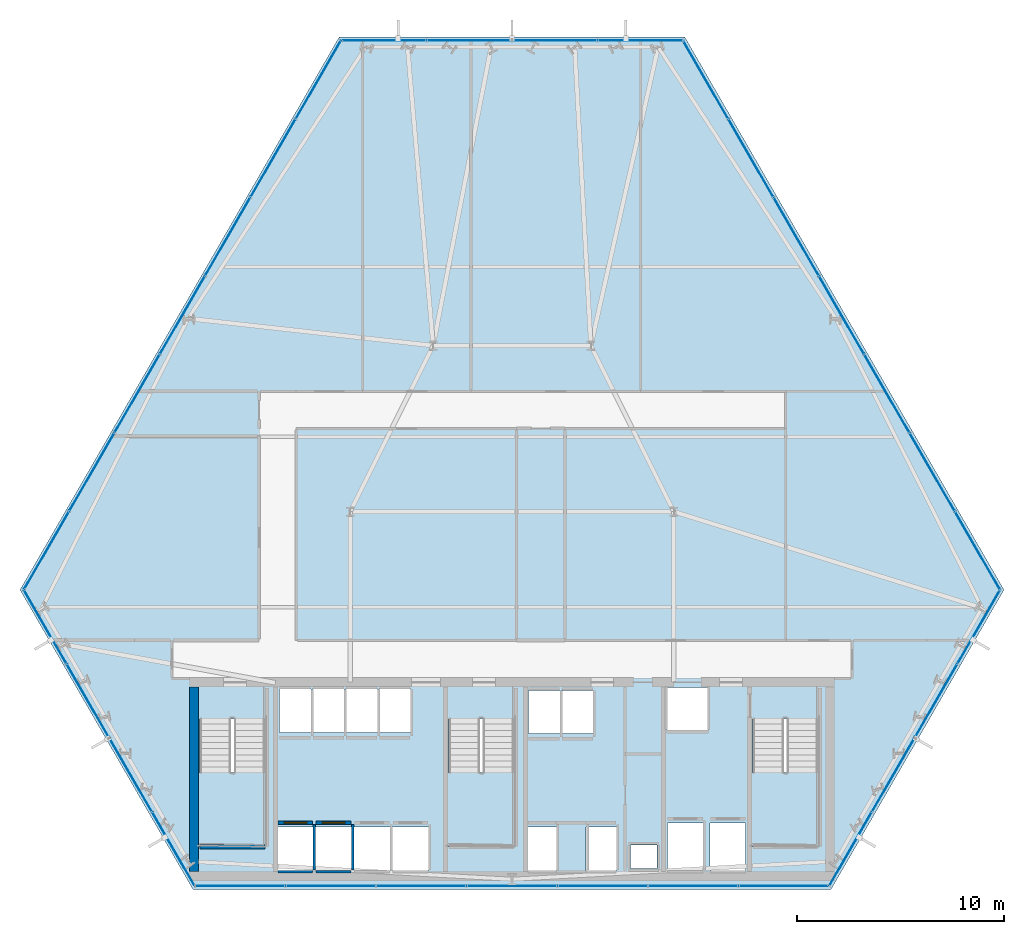
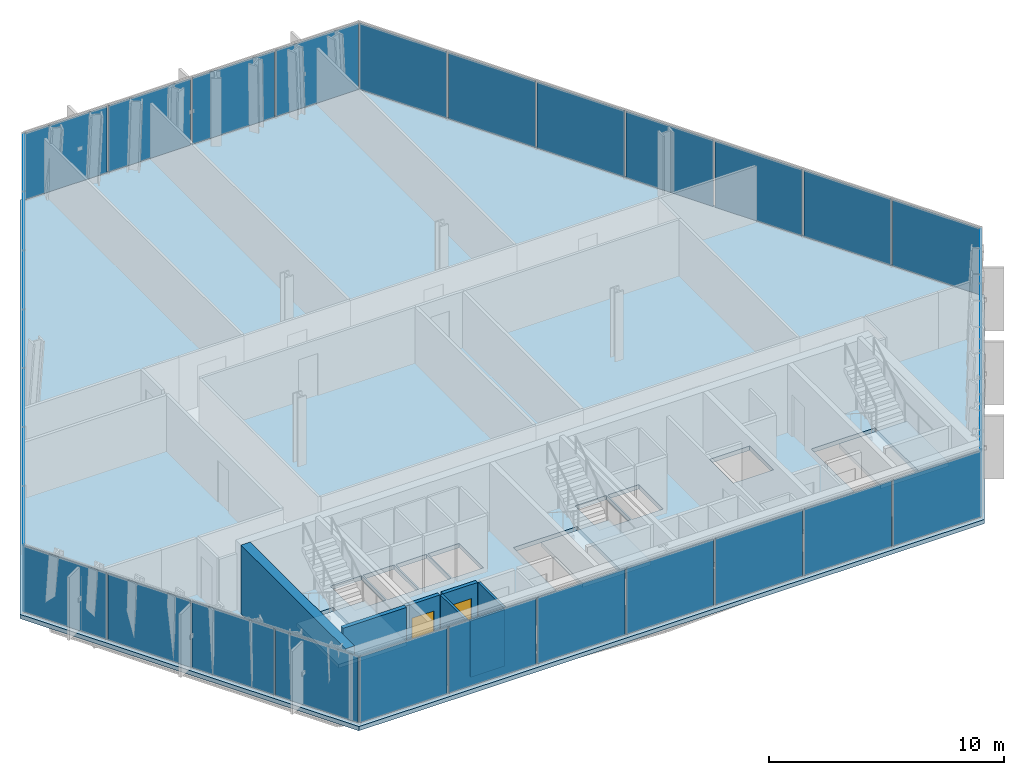
# One storey, part 26 of 33: 33 plates, 8 walls, 4 slabs, 2 doors, 2 openings, 9 elements without a shape of their own.
"""IFC4 building model written with IfcOpenShell, lengths in metres."""

from ifc_helpers import new_model, si_unit, direction, frame, frame_2d, origin, origin_2d, place, context, subcontext, project, spatial, polyline, rectangle, outline, extrude, material, layer, layer_set, type_object, element, fill, aggregate, save


model = new_model("IFC4")

# Units and contexts
model_context = context("Model", 3, precision=1e-05, world=origin(), true_north=direction((0.0, 1.0)))
body_context = subcontext(model_context, "Body", "Model", "MODEL_VIEW")
ifc_project = project(units=[si_unit("LENGTHUNIT", "METRE"), si_unit("AREAUNIT", "SQUARE_METRE"), si_unit("VOLUMEUNIT", "CUBIC_METRE"), si_unit("PLANEANGLEUNIT", "RADIAN"), si_unit("MASSUNIT", "GRAM", prefix="KILO")], contexts=[model_context])

# Site, building, storey
site_placement = place(None, origin())
site = spatial("IfcSite", under=ifc_project, at=site_placement, CompositionType="ELEMENT")
building_placement = place(site_placement, origin())
building = spatial("IfcBuilding", under=site, at=building_placement, Name="Ndaravel Arena Tower", CompositionType="ELEMENT")
storey_placement = place(building_placement, frame((0.0, 0.0, 43.60009765625)))
storey = spatial("IfcBuildingStorey", under=building, at=storey_placement, Name="L08", CompositionType="ELEMENT", Elevation=43.60009765625)

# Curtain wall, plate
ifc_material_1 = material(Name="Aluminium", Category="aluminium")
ifc_layer_1 = layer(ifc_material_1, 0.179931640625)
ifc_layer_set_1 = layer_set([ifc_layer_1], Name="Aluminium")
curtain_wall_type_1 = type_object("IfcCurtainWallType", Name="CW-SYS-01", PredefinedType="NOTDEFINED", material=ifc_layer_set_1)
curtain_wall_1_placement = place(storey_placement, origin())
curtain_wall_1 = element("IfcCurtainWall", 1, at=curtain_wall_1_placement, inside=storey, type_object=curtain_wall_type_1, Name="L08 Faceted Crystal Curtain Wall CW-L08-E02", PredefinedType="NOTDEFINED")
ifc_material_2 = material(Name="Glazing", Category="glass")
ifc_layer_2 = layer(ifc_material_2, 0.035888671875)
ifc_layer_set_2 = layer_set([ifc_layer_2], Name="Glazing")
plate_type_1 = type_object("IfcPlateType", Name="PLT-CW-OPVENT", PredefinedType="CURTAIN_PANEL", material=ifc_layer_set_2)
plate_1_placement = place(storey_placement, frame((60.377685546875, 10.51123046875, 0.059814453125), z_axis=(0.0, 0.0, 1.0), x_axis=(0.5, 0.866025403784, 0.0)))
plate_1 = element("IfcPlate", 2, at=plate_1_placement, type_object=plate_type_1, Name="CW-L08-E02 Operable Vent Sash Panel 02", PredefinedType="CURTAIN_PANEL", context=body_context, shape_type="SweptSolid", body=[
    extrude(rectangle(XDim=4.039306640625, YDim=0.035888671875, at=origin_2d()), origin(), (0.0, 0.0, 1.0), 3.4599609375),
])

curtain_wall_2_placement = place(storey_placement, origin())
curtain_wall_2 = element("IfcCurtainWall", 3, at=curtain_wall_2_placement, inside=storey, type_object=curtain_wall_type_1, Name="L08 Faceted Crystal Curtain Wall CW-L08-E04", PredefinedType="NOTDEFINED")
plate_2_placement = place(storey_placement, frame((44.059814453125, 45.909912109375, 0.059814453125), z_axis=(0.0, 0.0, 1.0), x_axis=(-1.0, 0.0, 0.0)))
plate_2 = element("IfcPlate", 4, at=plate_2_placement, type_object=plate_type_1, Name="CW-L08-E04 Operable Vent Sash Panel 02", PredefinedType="CURTAIN_PANEL", context=body_context, shape_type="SweptSolid", body=[
    extrude(rectangle(XDim=4.039306640625, YDim=0.035888671875, at=origin_2d()), origin(), (0.0, 0.0, 1.0), 3.4599609375),
])

ifc_material_3 = material(Name="Aluminium", Category="aluminium")
ifc_layer_3 = layer(ifc_material_3, 0.179931640625)
ifc_layer_set_3 = layer_set([ifc_layer_3], Name="Aluminium")
curtain_wall_type_2 = type_object("IfcCurtainWallType", Name="CW-SYS-02", PredefinedType="NOTDEFINED", material=ifc_layer_set_3)
curtain_wall_3_placement = place(storey_placement, origin())
curtain_wall_3 = element("IfcCurtainWall", 5, at=curtain_wall_3_placement, inside=storey, type_object=curtain_wall_type_2, Name="L08 Faceted Crystal Curtain Wall CW-L08-E06", PredefinedType="NOTDEFINED")
plate_3_placement = place(storey_placement, frame((21.5625, 14.07861328125, 0.059814453125), z_axis=(0.0, 0.0, 1.0), x_axis=(0.5, -0.866025403784, 0.0)))
plate_3 = element("IfcPlate", 6, at=plate_3_placement, type_object=plate_type_1, Name="CW-L08-E06 Operable Vent Sash Panel 02", PredefinedType="CURTAIN_PANEL", context=body_context, shape_type="SweptSolid", body=[
    extrude(rectangle(XDim=4.039306640625, YDim=0.035888671875, at=origin_2d()), origin(), (0.0, 0.0, 1.0), 3.4599609375),
])

# Plate
ifc_material_4 = material(Name="Glazing", Category="glass")
ifc_layer_4 = layer(ifc_material_4, 0.031982421875)
ifc_layer_set_4 = layer_set([ifc_layer_4], Name="Glazing")
plate_type_2 = type_object("IfcPlateType", Name="PLT-GLZ-FRIT35", PredefinedType="CURTAIN_PANEL", material=ifc_layer_set_4)
plate_4_placement = place(storey_placement, frame((58.318115234375, 6.943603515625, 0.059814453125), z_axis=(0.0, 0.0, 1.0), x_axis=(0.5, 0.866025403784, 0.0)))
plate_4 = element("IfcPlate", 7, at=plate_4_placement, type_object=plate_type_2, Name="CW-L08-E02 Vision Glass Panel 01", PredefinedType="CURTAIN_PANEL", context=body_context, shape_type="SweptSolid", body=[
    extrude(rectangle(XDim=4.039306640625, YDim=0.035888671875, at=origin_2d()), origin(), (0.0, 0.0, 1.0), 3.4599609375),
])

plate_5_placement = place(storey_placement, frame((62.4375, 14.07861328125, 0.059814453125), z_axis=(0.0, 0.0, 1.0), x_axis=(0.5, 0.866025403784, 0.0)))
plate_5 = element("IfcPlate", 8, at=plate_5_placement, type_object=plate_type_2, Name="CW-L08-E02 Vision Glass Panel 03", PredefinedType="CURTAIN_PANEL", context=body_context, shape_type="SweptSolid", body=[
    extrude(rectangle(XDim=4.039306640625, YDim=0.035888671875, at=origin_2d()), origin(), (0.0, 0.0, 1.0), 3.4599609375),
])

plate_6_placement = place(storey_placement, frame((64.497314453125, 17.646240234375, 0.059814453125), z_axis=(0.0, 0.0, 1.0), x_axis=(0.5, 0.866025403784, 0.0)))
plate_6 = element("IfcPlate", 9, at=plate_6_placement, type_object=plate_type_2, Name="CW-L08-E02 Vision Glass Panel 04", PredefinedType="CURTAIN_PANEL", context=body_context, shape_type="SweptSolid", body=[
    extrude(rectangle(XDim=4.039306640625, YDim=0.035888671875, at=origin_2d()), origin(), (0.0, 0.0, 1.0), 3.4599609375),
])

aggregate(curtain_wall_1, [plate_4, plate_1, plate_5, plate_6])

plate_7_placement = place(storey_placement, frame((48.17919921875, 45.909912109375, 0.059814453125), z_axis=(0.0, 0.0, 1.0), x_axis=(-1.0, 0.0, 0.0)))
plate_7 = element("IfcPlate", 10, at=plate_7_placement, type_object=plate_type_2, Name="CW-L08-E04 Vision Glass Panel 01", PredefinedType="CURTAIN_PANEL", context=body_context, shape_type="SweptSolid", body=[
    extrude(rectangle(XDim=4.039306640625, YDim=0.035888671875, at=origin_2d()), origin(), (0.0, 0.0, 1.0), 3.4599609375),
])

plate_8_placement = place(storey_placement, frame((39.940185546875, 45.909912109375, 0.059814453125), z_axis=(0.0, 0.0, 1.0), x_axis=(-1.0, 0.0, 0.0)))
plate_8 = element("IfcPlate", 11, at=plate_8_placement, type_object=plate_type_2, Name="CW-L08-E04 Vision Glass Panel 03", PredefinedType="CURTAIN_PANEL", context=body_context, shape_type="SweptSolid", body=[
    extrude(rectangle(XDim=4.039306640625, YDim=0.035888671875, at=origin_2d()), origin(), (0.0, 0.0, 1.0), 3.4599609375),
])

plate_9_placement = place(storey_placement, frame((35.82080078125, 45.909912109375, 0.059814453125), z_axis=(0.0, 0.0, 1.0), x_axis=(-1.0, 0.0, 0.0)))
plate_9 = element("IfcPlate", 12, at=plate_9_placement, type_object=plate_type_2, Name="CW-L08-E04 Vision Glass Panel 04", PredefinedType="CURTAIN_PANEL", context=body_context, shape_type="SweptSolid", body=[
    extrude(rectangle(XDim=4.039306640625, YDim=0.035888671875, at=origin_2d()), origin(), (0.0, 0.0, 1.0), 3.4599609375),
])

aggregate(curtain_wall_2, [plate_7, plate_2, plate_8, plate_9])

ifc_material_5 = material(Name="Glazing", Category="glass")
ifc_layer_5 = layer(ifc_material_5, 0.035888671875)
ifc_layer_set_5 = layer_set([ifc_layer_5], Name="Glazing")
plate_type_3 = type_object("IfcPlateType", Name="PLT-GLZ-FRIT55", PredefinedType="CURTAIN_PANEL", material=ifc_layer_set_5)
plate_10_placement = place(storey_placement, frame((19.502685546875, 17.646240234375, 0.059814453125), z_axis=(0.0, 0.0, 1.0), x_axis=(0.5, -0.866025403784, 0.0)))
plate_10 = element("IfcPlate", 13, at=plate_10_placement, type_object=plate_type_3, Name="CW-L08-E06 Vision Glass Panel 01", PredefinedType="CURTAIN_PANEL", context=body_context, shape_type="SweptSolid", body=[
    extrude(rectangle(XDim=4.039306640625, YDim=0.035888671875, at=origin_2d()), origin(), (0.0, 0.0, 1.0), 3.4599609375),
])

plate_11_placement = place(storey_placement, frame((23.622314453125, 10.51123046875, 0.059814453125), z_axis=(0.0, 0.0, 1.0), x_axis=(0.5, -0.866025403784, 0.0)))
plate_11 = element("IfcPlate", 14, at=plate_11_placement, type_object=plate_type_3, Name="CW-L08-E06 Vision Glass Panel 03", PredefinedType="CURTAIN_PANEL", context=body_context, shape_type="SweptSolid", body=[
    extrude(rectangle(XDim=4.039306640625, YDim=0.035888671875, at=origin_2d()), origin(), (0.0, 0.0, 1.0), 3.4599609375),
])

plate_12_placement = place(storey_placement, frame((25.681884765625, 6.94384765625, 0.059814453125), z_axis=(0.0, 0.0, 1.0), x_axis=(0.5, -0.866025403784, 0.0)))
plate_12 = element("IfcPlate", 15, at=plate_12_placement, type_object=plate_type_3, Name="CW-L08-E06 Vision Glass Panel 04", PredefinedType="CURTAIN_PANEL", context=body_context, shape_type="SweptSolid", body=[
    extrude(rectangle(XDim=4.039306640625, YDim=0.035888671875, at=origin_2d()), origin(), (0.0, 0.0, 1.0), 3.4599609375),
])

aggregate(curtain_wall_3, [plate_10, plate_3, plate_11, plate_12])

# Curtain wall, plates
ifc_material_6 = material(Name="Aluminium", Category="aluminium")
ifc_layer_6 = layer(ifc_material_6, 0.179931640625)
ifc_layer_set_6 = layer_set([ifc_layer_6], Name="Aluminium")
curtain_wall_type_3 = type_object("IfcCurtainWallType", Name="CW-SYS-03", PredefinedType="NOTDEFINED", material=ifc_layer_set_6)
curtain_wall_4_placement = place(storey_placement, origin())
curtain_wall_4 = element("IfcCurtainWall", 16, at=curtain_wall_4_placement, inside=storey, type_object=curtain_wall_type_3, Name="L08 Faceted Crystal Curtain Wall CW-L08-E01", PredefinedType="NOTDEFINED")
ifc_material_7 = material(Name="Glazing", Category="glass")
ifc_layer_7 = layer(ifc_material_7, 0.0400390625)
ifc_layer_set_7 = layer_set([ifc_layer_7], Name="Glazing")
plate_type_4 = type_object("IfcPlateType", Name="PLT-GLZ-LOWIRON", PredefinedType="CURTAIN_PANEL", material=ifc_layer_set_7)
plate_13_placement = place(storey_placement, frame((28.895751953125, 5.159912109375, 0.059814453125), z_axis=(0.0, 0.0, 1.0), x_axis=(1.0, 0.0, 0.0)))
plate_13 = element("IfcPlate", 17, at=plate_13_placement, type_object=plate_type_4, Name="CW-L08-E01 Vision Glass Panel 01", PredefinedType="CURTAIN_PANEL", context=body_context, shape_type="SweptSolid", body=[
    extrude(rectangle(XDim=4.2880859375, YDim=0.035888671875, at=origin_2d()), origin(), (0.0, 0.0, 1.0), 3.4599609375),
])
plate_14_placement = place(storey_placement, frame((33.263916015625, 5.159912109375, 0.059814453125), z_axis=(0.0, 0.0, 1.0), x_axis=(1.0, 0.0, 0.0)))
plate_14 = element("IfcPlate", 18, at=plate_14_placement, type_object=plate_type_4, Name="CW-L08-E01 Vision Glass Panel 02", PredefinedType="CURTAIN_PANEL", context=body_context, shape_type="SweptSolid", body=[
    extrude(rectangle(XDim=4.2880859375, YDim=0.035888671875, at=origin_2d()), origin(), (0.0, 0.0, 1.0), 3.4599609375),
])
plate_15_placement = place(storey_placement, frame((37.6318359375, 5.159912109375, 0.059814453125), z_axis=(0.0, 0.0, 1.0), x_axis=(1.0, 0.0, 0.0)))
plate_15 = element("IfcPlate", 19, at=plate_15_placement, type_object=plate_type_4, Name="CW-L08-E01 Vision Glass Panel 03", PredefinedType="CURTAIN_PANEL", context=body_context, shape_type="SweptSolid", body=[
    extrude(rectangle(XDim=4.2880859375, YDim=0.035888671875, at=origin_2d()), origin(), (0.0, 0.0, 1.0), 3.4599609375),
])
plate_16_placement = place(storey_placement, frame((42.0, 5.159912109375, 0.059814453125), z_axis=(0.0, 0.0, 1.0), x_axis=(1.0, 0.0, 0.0)))
plate_16 = element("IfcPlate", 20, at=plate_16_placement, type_object=plate_type_4, Name="CW-L08-E01 Vision Glass Panel 04", PredefinedType="CURTAIN_PANEL", context=body_context, shape_type="SweptSolid", body=[
    extrude(rectangle(XDim=4.2880859375, YDim=0.035888671875, at=origin_2d()), origin(), (0.0, 0.0, 1.0), 3.4599609375),
])
plate_17_placement = place(storey_placement, frame((46.3681640625, 5.159912109375, 0.059814453125), z_axis=(0.0, 0.0, 1.0), x_axis=(1.0, 0.0, 0.0)))
plate_17 = element("IfcPlate", 21, at=plate_17_placement, type_object=plate_type_4, Name="CW-L08-E01 Vision Glass Panel 05", PredefinedType="CURTAIN_PANEL", context=body_context, shape_type="SweptSolid", body=[
    extrude(rectangle(XDim=4.2880859375, YDim=0.035888671875, at=origin_2d()), origin(), (0.0, 0.0, 1.0), 3.4599609375),
])
plate_18_placement = place(storey_placement, frame((50.736083984375, 5.159912109375, 0.059814453125), z_axis=(0.0, 0.0, 1.0), x_axis=(1.0, 0.0, 0.0)))
plate_18 = element("IfcPlate", 22, at=plate_18_placement, type_object=plate_type_4, Name="CW-L08-E01 Vision Glass Panel 06", PredefinedType="CURTAIN_PANEL", context=body_context, shape_type="SweptSolid", body=[
    extrude(rectangle(XDim=4.2880859375, YDim=0.035888671875, at=origin_2d()), origin(), (0.0, 0.0, 1.0), 3.4599609375),
])
plate_19_placement = place(storey_placement, frame((55.104248046875, 5.159912109375, 0.059814453125), z_axis=(0.0, 0.0, 1.0), x_axis=(1.0, 0.0, 0.0)))
plate_19 = element("IfcPlate", 23, at=plate_19_placement, type_object=plate_type_4, Name="CW-L08-E01 Vision Glass Panel 07", PredefinedType="CURTAIN_PANEL", context=body_context, shape_type="SweptSolid", body=[
    extrude(rectangle(XDim=4.2880859375, YDim=0.035888671875, at=origin_2d()), origin(), (0.0, 0.0, 1.0), 3.4599609375),
])
aggregate(curtain_wall_4, [plate_13, plate_14, plate_15, plate_16, plate_17, plate_18, plate_19])

curtain_wall_5_placement = place(storey_placement, origin())
curtain_wall_5 = element("IfcCurtainWall", 24, at=curtain_wall_5_placement, inside=storey, type_object=curtain_wall_type_3, Name="L08 Faceted Crystal Curtain Wall CW-L08-E03", PredefinedType="NOTDEFINED")
plate_20_placement = place(storey_placement, frame((64.43505859375, 21.3212890625, 0.059814453125), z_axis=(0.0, 0.0, 1.0), x_axis=(-0.5, 0.866025403784, 0.0)))
plate_20 = element("IfcPlate", 25, at=plate_20_placement, type_object=plate_type_4, Name="CW-L08-E03 Vision Glass Panel 01", PredefinedType="CURTAIN_PANEL", context=body_context, shape_type="SweptSolid", body=[
    extrude(rectangle(XDim=4.2880859375, YDim=0.035888671875, at=origin_2d()), origin(), (0.0, 0.0, 1.0), 3.4599609375),
])
plate_21_placement = place(storey_placement, frame((62.2509765625, 25.104248046875, 0.059814453125), z_axis=(0.0, 0.0, 1.0), x_axis=(-0.5, 0.866025403784, 0.0)))
plate_21 = element("IfcPlate", 26, at=plate_21_placement, type_object=plate_type_4, Name="CW-L08-E03 Vision Glass Panel 02", PredefinedType="CURTAIN_PANEL", context=body_context, shape_type="SweptSolid", body=[
    extrude(rectangle(XDim=4.2880859375, YDim=0.035888671875, at=origin_2d()), origin(), (0.0, 0.0, 1.0), 3.4599609375),
])
plate_22_placement = place(storey_placement, frame((60.06689453125, 28.88720703125, 0.059814453125), z_axis=(0.0, 0.0, 1.0), x_axis=(-0.5, 0.866025403784, 0.0)))
plate_22 = element("IfcPlate", 27, at=plate_22_placement, type_object=plate_type_4, Name="CW-L08-E03 Vision Glass Panel 03", PredefinedType="CURTAIN_PANEL", context=body_context, shape_type="SweptSolid", body=[
    extrude(rectangle(XDim=4.2880859375, YDim=0.035888671875, at=origin_2d()), origin(), (0.0, 0.0, 1.0), 3.4599609375),
])
plate_23_placement = place(storey_placement, frame((57.8828125, 32.669921875, 0.059814453125), z_axis=(0.0, 0.0, 1.0), x_axis=(-0.5, 0.866025403784, 0.0)))
plate_23 = element("IfcPlate", 28, at=plate_23_placement, type_object=plate_type_4, Name="CW-L08-E03 Vision Glass Panel 04", PredefinedType="CURTAIN_PANEL", context=body_context, shape_type="SweptSolid", body=[
    extrude(rectangle(XDim=4.2880859375, YDim=0.035888671875, at=origin_2d()), origin(), (0.0, 0.0, 1.0), 3.4599609375),
])
plate_24_placement = place(storey_placement, frame((55.698974609375, 36.452880859375, 0.059814453125), z_axis=(0.0, 0.0, 1.0), x_axis=(-0.5, 0.866025403784, 0.0)))
plate_24 = element("IfcPlate", 29, at=plate_24_placement, type_object=plate_type_4, Name="CW-L08-E03 Vision Glass Panel 05", PredefinedType="CURTAIN_PANEL", context=body_context, shape_type="SweptSolid", body=[
    extrude(rectangle(XDim=4.2880859375, YDim=0.035888671875, at=origin_2d()), origin(), (0.0, 0.0, 1.0), 3.4599609375),
])
plate_25_placement = place(storey_placement, frame((53.514892578125, 40.235595703125, 0.059814453125), z_axis=(0.0, 0.0, 1.0), x_axis=(-0.5, 0.866025403784, 0.0)))
plate_25 = element("IfcPlate", 30, at=plate_25_placement, type_object=plate_type_4, Name="CW-L08-E03 Vision Glass Panel 06", PredefinedType="CURTAIN_PANEL", context=body_context, shape_type="SweptSolid", body=[
    extrude(rectangle(XDim=4.2880859375, YDim=0.035888671875, at=origin_2d()), origin(), (0.0, 0.0, 1.0), 3.4599609375),
])
plate_26_placement = place(storey_placement, frame((51.330810546875, 44.0185546875, 0.059814453125), z_axis=(0.0, 0.0, 1.0), x_axis=(-0.5, 0.866025403784, 0.0)))
plate_26 = element("IfcPlate", 31, at=plate_26_placement, type_object=plate_type_4, Name="CW-L08-E03 Vision Glass Panel 07", PredefinedType="CURTAIN_PANEL", context=body_context, shape_type="SweptSolid", body=[
    extrude(rectangle(XDim=4.2880859375, YDim=0.035888671875, at=origin_2d()), origin(), (0.0, 0.0, 1.0), 3.4599609375),
])
aggregate(curtain_wall_5, [plate_20, plate_21, plate_22, plate_23, plate_24, plate_25, plate_26])

curtain_wall_6_placement = place(storey_placement, origin())
curtain_wall_6 = element("IfcCurtainWall", 32, at=curtain_wall_6_placement, inside=storey, type_object=curtain_wall_type_3, Name="L08 Faceted Crystal Curtain Wall CW-L08-E05", PredefinedType="NOTDEFINED")
plate_27_placement = place(storey_placement, frame((32.669189453125, 44.0185546875, 0.059814453125), z_axis=(0.0, 0.0, 1.0), x_axis=(-0.5, -0.866025403784, 0.0)))
plate_27 = element("IfcPlate", 33, at=plate_27_placement, type_object=plate_type_4, Name="CW-L08-E05 Vision Glass Panel 01", PredefinedType="CURTAIN_PANEL", context=body_context, shape_type="SweptSolid", body=[
    extrude(rectangle(XDim=4.2880859375, YDim=0.035888671875, at=origin_2d()), origin(), (0.0, 0.0, 1.0), 3.4599609375),
])
plate_28_placement = place(storey_placement, frame((30.485107421875, 40.235595703125, 0.059814453125), z_axis=(0.0, 0.0, 1.0), x_axis=(-0.5, -0.866025403784, 0.0)))
plate_28 = element("IfcPlate", 34, at=plate_28_placement, type_object=plate_type_4, Name="CW-L08-E05 Vision Glass Panel 02", PredefinedType="CURTAIN_PANEL", context=body_context, shape_type="SweptSolid", body=[
    extrude(rectangle(XDim=4.2880859375, YDim=0.035888671875, at=origin_2d()), origin(), (0.0, 0.0, 1.0), 3.4599609375),
])
plate_29_placement = place(storey_placement, frame((28.301025390625, 36.452880859375, 0.059814453125), z_axis=(0.0, 0.0, 1.0), x_axis=(-0.5, -0.866025403784, 0.0)))
plate_29 = element("IfcPlate", 35, at=plate_29_placement, type_object=plate_type_4, Name="CW-L08-E05 Vision Glass Panel 03", PredefinedType="CURTAIN_PANEL", context=body_context, shape_type="SweptSolid", body=[
    extrude(rectangle(XDim=4.2880859375, YDim=0.035888671875, at=origin_2d()), origin(), (0.0, 0.0, 1.0), 3.4599609375),
])
plate_30_placement = place(storey_placement, frame((26.1171875, 32.669921875, 0.059814453125), z_axis=(0.0, 0.0, 1.0), x_axis=(-0.5, -0.866025403784, 0.0)))
plate_30 = element("IfcPlate", 36, at=plate_30_placement, type_object=plate_type_4, Name="CW-L08-E05 Vision Glass Panel 04", PredefinedType="CURTAIN_PANEL", context=body_context, shape_type="SweptSolid", body=[
    extrude(rectangle(XDim=4.2880859375, YDim=0.035888671875, at=origin_2d()), origin(), (0.0, 0.0, 1.0), 3.4599609375),
])
plate_31_placement = place(storey_placement, frame((23.93310546875, 28.88720703125, 0.059814453125), z_axis=(0.0, 0.0, 1.0), x_axis=(-0.5, -0.866025403784, 0.0)))
plate_31 = element("IfcPlate", 37, at=plate_31_placement, type_object=plate_type_4, Name="CW-L08-E05 Vision Glass Panel 05", PredefinedType="CURTAIN_PANEL", context=body_context, shape_type="SweptSolid", body=[
    extrude(rectangle(XDim=4.2880859375, YDim=0.035888671875, at=origin_2d()), origin(), (0.0, 0.0, 1.0), 3.4599609375),
])
plate_32_placement = place(storey_placement, frame((21.7490234375, 25.104248046875, 0.059814453125), z_axis=(0.0, 0.0, 1.0), x_axis=(-0.5, -0.866025403784, 0.0)))
plate_32 = element("IfcPlate", 38, at=plate_32_placement, type_object=plate_type_4, Name="CW-L08-E05 Vision Glass Panel 06", PredefinedType="CURTAIN_PANEL", context=body_context, shape_type="SweptSolid", body=[
    extrude(rectangle(XDim=4.2880859375, YDim=0.035888671875, at=origin_2d()), origin(), (0.0, 0.0, 1.0), 3.4599609375),
])
plate_33_placement = place(storey_placement, frame((19.56494140625, 21.3212890625, 0.059814453125), z_axis=(0.0, 0.0, 1.0), x_axis=(-0.5, -0.866025403784, 0.0)))
plate_33 = element("IfcPlate", 39, at=plate_33_placement, type_object=plate_type_4, Name="CW-L08-E05 Vision Glass Panel 07", PredefinedType="CURTAIN_PANEL", context=body_context, shape_type="SweptSolid", body=[
    extrude(rectangle(XDim=4.2880859375, YDim=0.035888671875, at=origin_2d()), origin(), (0.0, 0.0, 1.0), 3.4599609375),
])
aggregate(curtain_wall_6, [plate_27, plate_28, plate_29, plate_30, plate_31, plate_32, plate_33])

# Stair, slab
ifc_material_8 = material(Name="Concrete C40/50", Category="concrete")
stair_type = type_object("IfcStairType", Name="STAIR-CORE-HT", PredefinedType="HALF_TURN_STAIR", material=ifc_material_8)
stair_1_placement = place(storey_placement, origin())
stair_1 = element("IfcStair", 40, at=stair_1_placement, inside=storey, type_object=stair_type, Name="L08 ST-1", PredefinedType="HALF_TURN_STAIR")
ifc_material_9 = material(Name="Concrete C40/50", Category="concrete")
ifc_layer_8 = layer(ifc_material_9, 0.199951171875)
ifc_layer_set_8 = layer_set([ifc_layer_8], Name="Concrete C40/50")
slab_type_1 = type_object("IfcSlabType", Name="SLAB-STAIR-LANDING", PredefinedType="LANDING", material=ifc_layer_set_8)
slab_1_placement = place(storey_placement, frame((0.0, 0.0, 1.699951171875)))
slab_1 = element("IfcSlab", 41, at=slab_1_placement, type_object=slab_type_1, Name="ST-1 landing 1", PredefinedType="LANDING", context=body_context, shape_type="SweptSolid", body=[
    extrude(outline(polyline([(26.81005859375, 10.6298828125), (26.81005859375, 7.070068359375), (30.169921875, 7.070068359375), (30.169921875, 10.6298828125), (26.81005859375, 10.6298828125)])), origin(), (0.0, 0.0, 1.0), 0.199951171875),
])
aggregate(stair_1, [slab_1])

stair_2_placement = place(storey_placement, origin())
stair_2 = element("IfcStair", 42, at=stair_2_placement, inside=storey, type_object=stair_type, Name="L08 ST-2", PredefinedType="HALF_TURN_STAIR")
slab_2_placement = place(storey_placement, frame((0.0, 0.0, 1.699951171875)))
slab_2 = element("IfcSlab", 43, at=slab_2_placement, type_object=slab_type_1, Name="ST-2 landing 1", PredefinedType="LANDING", context=body_context, shape_type="SweptSolid", body=[
    extrude(outline(polyline([(38.81005859375, 10.6298828125), (38.81005859375, 7.070068359375), (42.169921875, 7.070068359375), (42.169921875, 10.6298828125), (38.81005859375, 10.6298828125)])), origin(), (0.0, 0.0, 1.0), 0.199951171875),
])
aggregate(stair_2, [slab_2])

stair_3_placement = place(storey_placement, origin())
stair_3 = element("IfcStair", 44, at=stair_3_placement, inside=storey, type_object=stair_type, Name="L08 ST-3", PredefinedType="HALF_TURN_STAIR")
slab_3_placement = place(storey_placement, frame((0.0, 0.0, 1.699951171875)))
slab_3 = element("IfcSlab", 45, at=slab_3_placement, type_object=slab_type_1, Name="ST-3 landing 1", PredefinedType="LANDING", context=body_context, shape_type="SweptSolid", body=[
    extrude(outline(polyline([(53.4599609375, 10.6298828125), (53.4599609375, 7.070068359375), (56.820068359375, 7.070068359375), (56.820068359375, 10.6298828125), (53.4599609375, 10.6298828125)])), origin(), (0.0, 0.0, 1.0), 0.199951171875),
])
aggregate(stair_3, [slab_3])

# Slab
ifc_material_10 = material(Name="Concrete C40/50", Category="concrete")
ifc_layer_9 = layer(ifc_material_10, 0.219970703125)
ifc_layer_set_9 = layer_set([ifc_layer_9], Name="Concrete C40/50")
slab_type_2 = type_object("IfcSlabType", Name="SLAB-TWR-220", PredefinedType="FLOOR", material=ifc_layer_set_9)
slab_4_placement = place(storey_placement, frame((0.0, 0.0, -0.22021484375)))
element("IfcSlab", 46, at=slab_4_placement, inside=storey, type_object=slab_type_2, Name="L08 Structural Floor Slab", PredefinedType="FLOOR", context=body_context, shape_type="SweptSolid", body=[
    extrude(outline(polyline([(18.2880859375, 19.429931640625), (26.619384765625, 5.0), (57.380615234375, 5.0), (65.7119140625, 19.429931640625), (50.331298828125, 46.070068359375), (33.668701171875, 46.070068359375), (18.2880859375, 19.429931640625)]), holes=[polyline([(26.949951171875, 13.215087890625), (26.949951171875, 7.14990234375), (30.090087890625, 7.14990234375), (30.090087890625, 13.215087890625), (26.949951171875, 13.215087890625)]), polyline([(38.949951171875, 13.215087890625), (38.949951171875, 7.14990234375), (42.090087890625, 7.14990234375), (42.090087890625, 13.215087890625), (38.949951171875, 13.215087890625)]), polyline([(53.60009765625, 13.215087890625), (53.60009765625, 7.14990234375), (56.739990234375, 7.14990234375), (56.739990234375, 13.215087890625), (53.60009765625, 13.215087890625)]), polyline([(30.68505859375, 5.909912109375), (32.4150390625, 5.909912109375), (32.4150390625, 7.989990234375), (30.68505859375, 7.989990234375), (30.68505859375, 5.909912109375)]), polyline([(32.534912109375, 5.909912109375), (34.264892578125, 5.909912109375), (34.264892578125, 7.989990234375), (32.534912109375, 7.989990234375), (32.534912109375, 5.909912109375)]), polyline([(34.385009765625, 5.909912109375), (36.114990234375, 5.909912109375), (36.114990234375, 7.989990234375), (34.385009765625, 7.989990234375), (34.385009765625, 5.909912109375)]), polyline([(36.235107421875, 5.909912109375), (37.965087890625, 5.909912109375), (37.965087890625, 7.989990234375), (36.235107421875, 7.989990234375), (36.235107421875, 5.909912109375)]), polyline([(30.784912109375, 12.56005859375), (32.31494140625, 12.56005859375), (32.31494140625, 14.639892578125), (30.784912109375, 14.639892578125), (30.784912109375, 12.56005859375)]), polyline([(32.385009765625, 12.56005859375), (33.9150390625, 12.56005859375), (33.9150390625, 14.639892578125), (32.385009765625, 14.639892578125), (32.385009765625, 12.56005859375)]), polyline([(33.985107421875, 12.56005859375), (35.514892578125, 12.56005859375), (35.514892578125, 14.639892578125), (33.985107421875, 14.639892578125), (33.985107421875, 12.56005859375)]), polyline([(35.5849609375, 12.56005859375), (37.114990234375, 12.56005859375), (37.114990234375, 14.639892578125), (35.5849609375, 14.639892578125), (35.5849609375, 12.56005859375)]), polyline([(42.659912109375, 5.909912109375), (44.139892578125, 5.909912109375), (44.139892578125, 7.989990234375), (42.659912109375, 7.989990234375), (42.659912109375, 5.909912109375)]), polyline([(45.56005859375, 5.909912109375), (47.0400390625, 5.909912109375), (47.0400390625, 7.989990234375), (45.56005859375, 7.989990234375), (45.56005859375, 5.909912109375)]), polyline([(42.784912109375, 12.510009765625), (44.31494140625, 12.510009765625), (44.31494140625, 14.590087890625), (42.784912109375, 14.590087890625), (42.784912109375, 12.510009765625)]), polyline([(44.385009765625, 12.510009765625), (45.9150390625, 12.510009765625), (45.9150390625, 14.590087890625), (44.385009765625, 14.590087890625), (44.385009765625, 12.510009765625)]), polyline([(49.485107421875, 5.909912109375), (51.215087890625, 5.909912109375), (51.215087890625, 8.18994140625), (49.485107421875, 8.18994140625), (49.485107421875, 5.909912109375)]), polyline([(51.534912109375, 5.909912109375), (53.264892578125, 5.909912109375), (53.264892578125, 8.18994140625), (51.534912109375, 8.18994140625), (51.534912109375, 5.909912109375)]), polyline([(49.4599609375, 12.68505859375), (51.43994140625, 12.68505859375), (51.43994140625, 14.715087890625), (49.4599609375, 14.715087890625), (49.4599609375, 12.68505859375)]), polyline([(47.699951171875, 6.0), (49.0, 6.0), (49.0, 7.139892578125), (47.699951171875, 7.139892578125), (47.699951171875, 6.0)])]), origin(), (0.0, 0.0, 1.0), 0.22021484375),
])

# Walls
ifc_material_11 = material(Name="Concrete C60/75", Category="concrete")
ifc_layer_10 = layer(ifc_material_11, 0.449951171875)
ifc_layer_set_10 = layer_set([ifc_layer_10], Name="Concrete C60/75")
wall_type_1 = type_object("IfcWallType", Name="WALL-CORE-450", PredefinedType="SOLIDWALL", material=ifc_layer_set_10)
wall_1_placement = place(storey_placement, frame((26.675048828125, 5.85009765625, 0.0), z_axis=(0.0, 0.0, 1.0), x_axis=(0.0, 1.0, 0.0)))
element("IfcWall", 47, at=wall_1_placement, inside=storey, type_object=wall_type_1, Name="L08 Core West Shear Wall", PredefinedType="SOLIDWALL", context=body_context, shape_type="SweptSolid", body=[
    extrude(rectangle(XDim=8.89990234375, YDim=0.449951171875, at=frame_2d((4.449951171875, 0.0))), origin(), (0.0, 0.0, 1.0), 3.579833984375),
])
ifc_material_12 = material(Name="Concrete C40/50", Category="concrete")
ifc_layer_11 = layer(ifc_material_12, 0.1201171875)
ifc_layer_set_11 = layer_set([ifc_layer_11], Name="Concrete C40/50")
wall_type_2 = type_object("IfcWallType", Name="WALL-SHAFT-120", PredefinedType="SOLIDWALL", material=ifc_layer_set_11)
wall_2_placement = place(storey_placement, frame((30.72998046875, 5.840087890625, 0.0), z_axis=(0.0, 0.0, 1.0), x_axis=(1.0, 0.0, 0.0)))
element("IfcWall", 48, at=wall_2_placement, inside=storey, type_object=wall_type_2, Name="L08 PL-L1 Shaft Rear Wall", PredefinedType="SOLIDWALL", context=body_context, shape_type="SweptSolid", body=[
    extrude(rectangle(XDim=1.6650390625, YDim=0.1201171875, at=frame_2d((0.83251953125, 0.0))), origin(), (0.0, 0.0, 1.0), 2.9326171875),
])
wall_3_placement = place(storey_placement, frame((32.47509765625, 5.929931640625, 0.0), z_axis=(0.0, 0.0, 1.0), x_axis=(0.0, 1.0, 0.0)))
element("IfcWall", 49, at=wall_3_placement, inside=storey, type_object=wall_type_2, Name="L08 PL-L1 Shaft Side R Wall", PredefinedType="SOLIDWALL", context=body_context, shape_type="SweptSolid", body=[
    extrude(rectangle(XDim=2.18017578125, YDim=0.1201171875, at=frame_2d((1.090087890625, 0.0))), origin(), (0.0, 0.0, 1.0), 2.9326171875),
])
wall_4_placement = place(storey_placement, frame((32.554931640625, 5.840087890625, 0.0), z_axis=(0.0, 0.0, 1.0), x_axis=(1.0, 0.0, 0.0)))
element("IfcWall", 50, at=wall_4_placement, inside=storey, type_object=wall_type_2, Name="L08 PL-L2 Shaft Rear Wall", PredefinedType="SOLIDWALL", context=body_context, shape_type="SweptSolid", body=[
    extrude(rectangle(XDim=1.690185546875, YDim=0.1201171875, at=frame_2d((0.84521484375, 0.0))), origin(), (0.0, 0.0, 1.0), 2.9326171875),
])
wall_5_placement = place(storey_placement, frame((34.324951171875, 5.929931640625, 0.0), z_axis=(0.0, 0.0, 1.0), x_axis=(0.0, 1.0, 0.0)))
element("IfcWall", 51, at=wall_5_placement, inside=storey, type_object=wall_type_2, Name="L08 PL-L2 Shaft Side R Wall", PredefinedType="SOLIDWALL", context=body_context, shape_type="SweptSolid", body=[
    extrude(rectangle(XDim=2.18017578125, YDim=0.1201171875, at=frame_2d((1.090087890625, 0.0))), origin(), (0.0, 0.0, 1.0), 2.9326171875),
])
ifc_material_13 = material(Name="Concrete C40/50", Category="concrete")
ifc_layer_12 = layer(ifc_material_13, 0.199951171875)
ifc_layer_set_12 = layer_set([ifc_layer_12], Name="Concrete C40/50")
wall_type_3 = type_object("IfcWallType", Name="WALL-SHAFT-200", PredefinedType="SOLIDWALL", material=ifc_layer_set_12)
wall_6_placement = place(storey_placement, frame((26.969970703125, 7.050048828125, 0.0), z_axis=(0.0, 0.0, 1.0), x_axis=(1.0, 0.0, 0.0)))
element("IfcWall", 52, at=wall_6_placement, inside=storey, type_object=wall_type_3, Name="L08 ST-1 Structural Shaft Wall Far", PredefinedType="SOLIDWALL", context=body_context, shape_type="SweptSolid", body=[
    extrude(rectangle(XDim=3.114990234375, YDim=0.199951171875, at=frame_2d((1.5576171875, 0.0))), origin(), (0.0, 0.0, 1.0), 3.7998046875),
])

# Wall, opening, door
wall_7_placement = place(storey_placement, frame((30.72998046875, 8.199951171875, 0.0), z_axis=(0.0, 0.0, 1.0), x_axis=(1.0, 0.0, 0.0)))
wall_7 = element("IfcWall", 53, at=wall_7_placement, inside=storey, type_object=wall_type_3, Name="L08 PL-L1 Shaft Landing Wall", PredefinedType="SOLIDWALL", context=body_context, shape_type="SweptSolid", body=[
    extrude(rectangle(XDim=1.6650390625, YDim=0.179931640625, at=frame_2d((0.83251953125, 0.0))), origin(), (0.0, 0.0, 1.0), 2.9326171875),
])
opening_1_placement = place(wall_7_placement, frame((0.282470703125, 0.0, 0.0)))
opening_1 = element("IfcOpeningElement", 54, at=opening_1_placement, cuts=wall_7, Name="Opening LD-01", PredefinedType="OPENING", context=body_context, shape_type="SweptSolid", body=[
    extrude(rectangle(XDim=1.10009765625, YDim=2.199951171875, at=frame_2d((0.550048828125, 1.10009765625))), frame((0.0, 0.08984375, 0.0), z_axis=(0.0, -1.0, 0.0), x_axis=(1.0, 0.0, 0.0)), (0.0, 0.0, 1.0), 0.179931640625),
])
ifc_material_14 = material(Name="Steel S355", Category="steel")
door_type = type_object("IfcDoorType", Name="DT-06-LIFT-1100", OperationType="SLIDING_TO_LEFT", PredefinedType="DOOR", material=ifc_material_14)
door_1_placement = place(opening_1_placement, origin())
door_1 = element("IfcDoor", 55, at=door_1_placement, inside=storey, type_object=door_type, Name="L08 Lift PL-L1 Sliding Landing Door", OperationType="SLIDING_TO_LEFT", OverallHeight=2.199951171875, OverallWidth=1.10009765625, PredefinedType="DOOR", context=body_context, shape_type="SweptSolid", body=[
    extrude(rectangle(XDim=1.10009765625, YDim=2.199951171875, at=frame_2d((0.550048828125, 1.10009765625))), frame((0.0, 0.02490234375, 0.0), z_axis=(0.0, -1.0, 0.0), x_axis=(1.0, 0.0, 0.0)), (0.0, 0.0, 1.0), 0.050048828125),
])
fill(opening_1, door_1)

wall_8_placement = place(storey_placement, frame((32.554931640625, 8.199951171875, 0.0), z_axis=(0.0, 0.0, 1.0), x_axis=(1.0, 0.0, 0.0)))
wall_8 = element("IfcWall", 56, at=wall_8_placement, inside=storey, type_object=wall_type_3, Name="L08 PL-L2 Shaft Landing Wall", PredefinedType="SOLIDWALL", context=body_context, shape_type="SweptSolid", body=[
    extrude(rectangle(XDim=1.690185546875, YDim=0.179931640625, at=frame_2d((0.84521484375, 0.0))), origin(), (0.0, 0.0, 1.0), 2.9326171875),
])
opening_2_placement = place(wall_8_placement, frame((0.294921875, 0.0, 0.0)))
opening_2 = element("IfcOpeningElement", 57, at=opening_2_placement, cuts=wall_8, Name="Opening LD-01", PredefinedType="OPENING", context=body_context, shape_type="SweptSolid", body=[
    extrude(rectangle(XDim=1.10009765625, YDim=2.199951171875, at=frame_2d((0.550048828125, 1.10009765625))), frame((0.0, 0.08984375, 0.0), z_axis=(0.0, -1.0, 0.0), x_axis=(1.0, 0.0, 0.0)), (0.0, 0.0, 1.0), 0.179931640625),
])
door_2_placement = place(opening_2_placement, origin())
door_2 = element("IfcDoor", 58, at=door_2_placement, inside=storey, type_object=door_type, Name="L08 Lift PL-L2 Sliding Landing Door", OperationType="SLIDING_TO_LEFT", OverallHeight=2.199951171875, OverallWidth=1.10009765625, PredefinedType="DOOR", context=body_context, shape_type="SweptSolid", body=[
    extrude(rectangle(XDim=1.10009765625, YDim=2.199951171875, at=frame_2d((0.550048828125, 1.10009765625))), frame((0.0, 0.02490234375, 0.0), z_axis=(0.0, -1.0, 0.0), x_axis=(1.0, 0.0, 0.0)), (0.0, 0.0, 1.0), 0.050048828125),
])
fill(opening_2, door_2)

save(model, "model.ifc")
